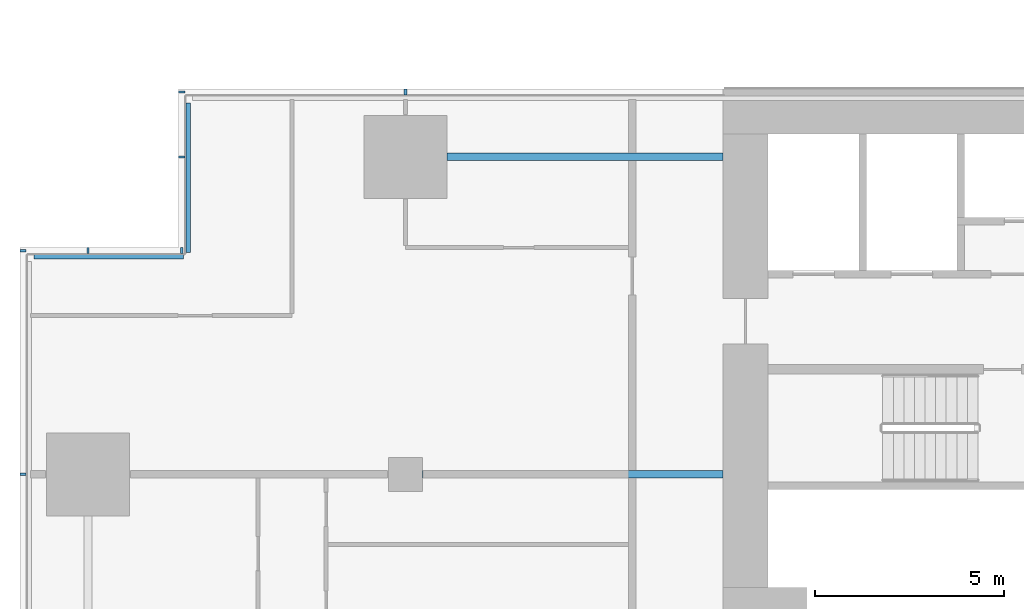
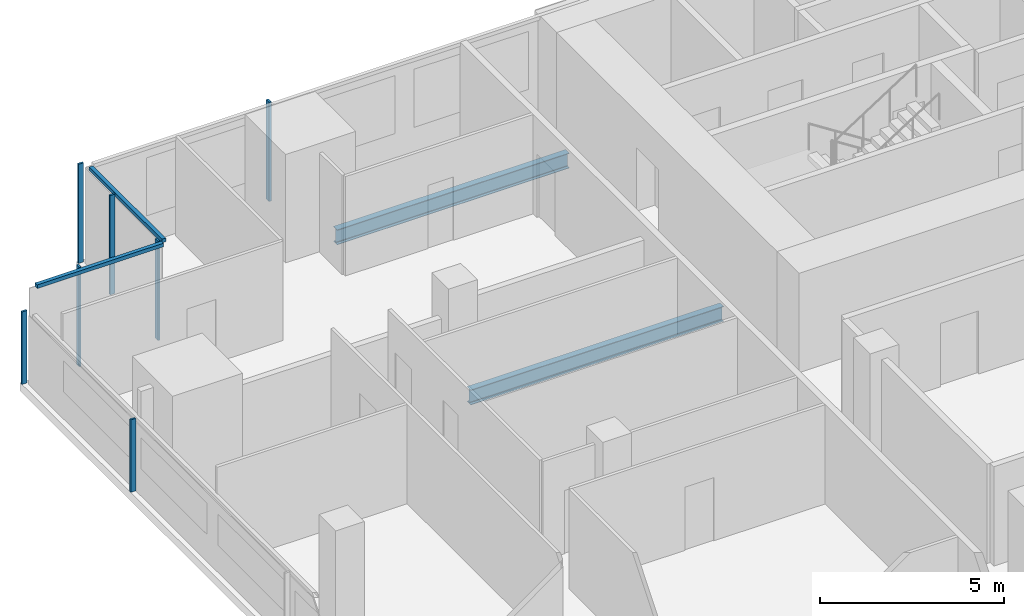
# One storey, part 9 of 25: 9 members, 2 beams, 4 elements without a shape of their own.
"""IFC4 building model written with IfcOpenShell, lengths in metres."""

from ifc_helpers import new_model, si_unit, direction, frame, origin, origin_2d, place, context, subcontext, project, spatial, rectangle, i_section, extrude, material, material_profile, profile_set, type_object, element, aggregate, save


model = new_model("IFC4")

# Units and contexts
model_context = context("Model", 3, precision=1e-05, world=origin(), true_north=direction((0.0, 1.0)))
body_context = subcontext(model_context, "Body", "Model", "MODEL_VIEW")
ifc_project = project(units=[si_unit("LENGTHUNIT", "METRE"), si_unit("AREAUNIT", "SQUARE_METRE"), si_unit("VOLUMEUNIT", "CUBIC_METRE"), si_unit("PLANEANGLEUNIT", "RADIAN"), si_unit("MASSUNIT", "GRAM", prefix="KILO")], contexts=[model_context])

# Site, building, storey
site_placement = place(None, origin())
site = spatial("IfcSite", under=ifc_project, at=site_placement, CompositionType="ELEMENT")
building_placement = place(site_placement, origin())
building = spatial("IfcBuilding", under=site, at=building_placement, Name="Saffron Gate Tower", CompositionType="ELEMENT")
storey_placement = place(building_placement, frame((0.0, 0.0, 80.39990234375)))
storey = spatial("IfcBuildingStorey", under=building, at=storey_placement, Name="L19", CompositionType="ELEMENT", Elevation=80.39990234375)

# Beams
ifc_material_1 = material(Name="Structural steel S355", Category="steel")
ifc_material_profile_1 = material_profile(ifc_material_1, i_section(OverallWidth=0.199951171875, OverallDepth=0.5, WebThickness=0.01025390625, FlangeThickness=0.01611328125, FilletRadius=0.02099609375, at=origin_2d()))
ifc_profile_set_1 = profile_set([ifc_material_profile_1], Name="Structural steel S355")
beam_type = type_object("IfcBeamType", Name="B10 IPE 500", PredefinedType="BEAM", material=ifc_profile_set_1)
beam_1_placement = place(storey_placement, frame((58.64990234375, 65.39990234375, -0.52978515625), z_axis=(1.0, 0.0, 0.0), x_axis=(0.0, 1.0, 0.0)))
element("IfcBeam", 1, at=beam_1_placement, inside=storey, type_object=beam_type, Name="B10 CORE TIE BEAM", PredefinedType="BEAM", context=body_context, shape_type="SweptSolid", body=[
    extrude(i_section(OverallWidth=0.199951171875, OverallDepth=0.5, WebThickness=0.01025390625, FlangeThickness=0.01611328125, FilletRadius=0.02099609375, at=origin_2d()), origin(), (0.0, 0.0, 1.0), 7.9501953125),
])
beam_2_placement = place(storey_placement, frame((59.300048828125, 73.800048828125, -0.52978515625), z_axis=(1.0, 0.0, 0.0), x_axis=(0.0, 1.0, 0.0)))
element("IfcBeam", 2, at=beam_2_placement, inside=storey, type_object=beam_type, Name="B10 CORE TIE BEAM", PredefinedType="BEAM", context=body_context, shape_type="SweptSolid", body=[
    extrude(i_section(OverallWidth=0.199951171875, OverallDepth=0.5, WebThickness=0.01025390625, FlangeThickness=0.01611328125, FilletRadius=0.02099609375, at=origin_2d()), origin(), (0.0, 0.0, 1.0), 7.300048828125),
])

# Curtain wall, members
ifc_material_2 = material(Name="Aluminium, bronze anodised", Category="aluminium")
curtain_wall_type_1 = type_object("IfcCurtainWallType", Name="CWS2 curtain wall side facades", PredefinedType="NOTDEFINED", material=ifc_material_2)
curtain_wall_1_placement = place(storey_placement, origin())
curtain_wall_1 = element("IfcCurtainWall", 3, at=curtain_wall_1_placement, inside=storey, type_object=curtain_wall_type_1, Name="CWS2 run 10", PredefinedType="NOTDEFINED")
ifc_material_profile_2 = material_profile(ifc_material_2, rectangle(XDim=0.159912109375, YDim=0.06005859375, at=origin_2d()))
ifc_profile_set_2 = profile_set([ifc_material_profile_2], Name="Aluminium, bronze anodised")
member_type_1 = type_object("IfcMemberType", Name="CWS2 mullion 60x160", PredefinedType="MULLION", material=ifc_profile_set_2)
member_1_placement = place(storey_placement, frame((48.080078125, 71.320068359375, 0.0), z_axis=(0.0, 0.0, 1.0), x_axis=(1.0, 0.0, 0.0)))
member_1 = element("IfcMember", 4, at=member_1_placement, type_object=member_type_1, Name="CWS2 mullion 1", PredefinedType="MULLION", context=body_context, shape_type="SweptSolid", body=[
    extrude(rectangle(XDim=0.159912109375, YDim=0.06005859375, at=origin_2d()), origin(), (0.0, 0.0, 1.0), 2.41015625),
])
member_2_placement = place(storey_placement, frame((48.080078125, 65.39990234375, 0.0), z_axis=(0.0, 0.0, 1.0), x_axis=(1.0, 0.0, 0.0)))
member_2 = element("IfcMember", 5, at=member_2_placement, type_object=member_type_1, Name="CWS2 mullion 2", PredefinedType="MULLION", context=body_context, shape_type="SweptSolid", body=[
    extrude(rectangle(XDim=0.159912109375, YDim=0.06005859375, at=origin_2d()), origin(), (0.0, 0.0, 1.0), 2.41015625),
])
aggregate(curtain_wall_1, [member_1, member_2])

# Curtain wall, member
curtain_wall_type_2 = type_object("IfcCurtainWallType", Name="CWS3 curtain wall rear facade", PredefinedType="NOTDEFINED", material=ifc_material_2)
curtain_wall_2_placement = place(storey_placement, origin())
curtain_wall_2 = element("IfcCurtainWall", 6, at=curtain_wall_2_placement, inside=storey, type_object=curtain_wall_type_2, Name="CWS3 run 7", PredefinedType="NOTDEFINED")
ifc_material_profile_3 = material_profile(ifc_material_2, rectangle(XDim=0.159912109375, YDim=0.070068359375, at=origin_2d()))
ifc_profile_set_3 = profile_set([ifc_material_profile_3], Name="Aluminium, bronze anodised")
member_type_2 = type_object("IfcMemberType", Name="CWS3 mullion 70x160", PredefinedType="MULLION", material=ifc_profile_set_3)
member_3_placement = place(storey_placement, frame((58.199951171875, 75.52001953125, 0.0), z_axis=(0.0, 0.0, 1.0), x_axis=(0.0, -1.0, 0.0)))
member_3 = element("IfcMember", 7, at=member_3_placement, type_object=member_type_2, Name="CWS3 mullion 9", PredefinedType="MULLION", context=body_context, shape_type="SweptSolid", body=[
    extrude(rectangle(XDim=0.159912109375, YDim=0.070068359375, at=origin_2d()), origin(), (0.0, 0.0, 1.0), 3.300048828125),
])
aggregate(curtain_wall_2, [member_3])

curtain_wall_type_3 = type_object("IfcCurtainWallType", Name="CWS4 curtain wall corner returns", PredefinedType="NOTDEFINED", material=ifc_material_2)
curtain_wall_3_placement = place(storey_placement, origin())
curtain_wall_3 = element("IfcCurtainWall", 8, at=curtain_wall_3_placement, inside=storey, type_object=curtain_wall_type_3, Name="CWS4 run 8", PredefinedType="NOTDEFINED")
ifc_material_profile_4 = material_profile(ifc_material_2, rectangle(XDim=0.1201171875, YDim=0.1201171875, at=origin_2d()))
ifc_profile_set_4 = profile_set([ifc_material_profile_4], Name="Aluminium, bronze anodised")
member_type_3 = type_object("IfcMemberType", Name="CWS4 head transom", PredefinedType="USERDEFINED", material=ifc_profile_set_4)
member_4_placement = place(storey_placement, frame((52.447998046875, 75.23193359375, 3.239990234375), z_axis=(0.0, -1.0, 0.0), x_axis=(1.0, 0.0, 0.0)))
member_4 = element("IfcMember", 9, at=member_4_placement, type_object=member_type_3, Name="CWS4 head transom", ObjectType="TRANSOM", PredefinedType="USERDEFINED", context=body_context, shape_type="SweptSolid", body=[
    extrude(rectangle(XDim=0.1201171875, YDim=0.1201171875, at=origin_2d()), origin(), (0.0, 0.0, 1.0), 3.9599609375),
])

curtain_wall_4_placement = place(storey_placement, origin())
curtain_wall_4 = element("IfcCurtainWall", 10, at=curtain_wall_4_placement, inside=storey, type_object=curtain_wall_type_3, Name="CWS4 run 9", PredefinedType="NOTDEFINED")
member_5_placement = place(storey_placement, frame((52.327880859375, 71.152099609375, 3.239990234375), z_axis=(-1.0, 0.0, 0.0), x_axis=(0.0, -1.0, 0.0)))
member_5 = element("IfcMember", 11, at=member_5_placement, type_object=member_type_3, Name="CWS4 head transom", ObjectType="TRANSOM", PredefinedType="USERDEFINED", context=body_context, shape_type="SweptSolid", body=[
    extrude(rectangle(XDim=0.1201171875, YDim=0.1201171875, at=origin_2d()), origin(), (0.0, 0.0, 1.0), 3.9599609375),
])

# Member
ifc_material_profile_5 = material_profile(ifc_material_2, rectangle(XDim=0.159912109375, YDim=0.06005859375, at=origin_2d()))
ifc_profile_set_5 = profile_set([ifc_material_profile_5], Name="Aluminium, bronze anodised")
member_type_4 = type_object("IfcMemberType", Name="CWS4 mullion 60x160", PredefinedType="MULLION", material=ifc_profile_set_5)
member_6_placement = place(storey_placement, frame((52.280029296875, 75.52001953125, 0.0), z_axis=(0.0, 0.0, 1.0), x_axis=(1.0, 0.0, 0.0)))
member_6 = element("IfcMember", 12, at=member_6_placement, type_object=member_type_4, Name="CWS4 mullion 1", PredefinedType="MULLION", context=body_context, shape_type="SweptSolid", body=[
    extrude(rectangle(XDim=0.159912109375, YDim=0.06005859375, at=origin_2d()), origin(), (0.0, 0.0, 1.0), 3.300048828125),
])

member_7_placement = place(storey_placement, frame((52.280029296875, 73.800048828125, 0.0), z_axis=(0.0, 0.0, 1.0), x_axis=(1.0, 0.0, 0.0)))
member_7 = element("IfcMember", 13, at=member_7_placement, type_object=member_type_4, Name="CWS4 mullion 2", PredefinedType="MULLION", context=body_context, shape_type="SweptSolid", body=[
    extrude(rectangle(XDim=0.159912109375, YDim=0.06005859375, at=origin_2d()), origin(), (0.0, 0.0, 1.0), 3.300048828125),
])

aggregate(curtain_wall_3, [member_6, member_7, member_4])

member_8_placement = place(storey_placement, frame((52.280029296875, 71.320068359375, 0.0), z_axis=(0.0, 0.0, 1.0), x_axis=(0.0, -1.0, 0.0)))
member_8 = element("IfcMember", 14, at=member_8_placement, type_object=member_type_4, Name="CWS4 mullion 1", PredefinedType="MULLION", context=body_context, shape_type="SweptSolid", body=[
    extrude(rectangle(XDim=0.159912109375, YDim=0.06005859375, at=origin_2d()), origin(), (0.0, 0.0, 1.0), 3.300048828125),
])

member_9_placement = place(storey_placement, frame((49.800048828125, 71.320068359375, 0.0), z_axis=(0.0, 0.0, 1.0), x_axis=(0.0, -1.0, 0.0)))
member_9 = element("IfcMember", 15, at=member_9_placement, type_object=member_type_4, Name="CWS4 mullion 2", PredefinedType="MULLION", context=body_context, shape_type="SweptSolid", body=[
    extrude(rectangle(XDim=0.159912109375, YDim=0.06005859375, at=origin_2d()), origin(), (0.0, 0.0, 1.0), 3.300048828125),
])

aggregate(curtain_wall_4, [member_8, member_9, member_5])

save(model, "model.ifc")
